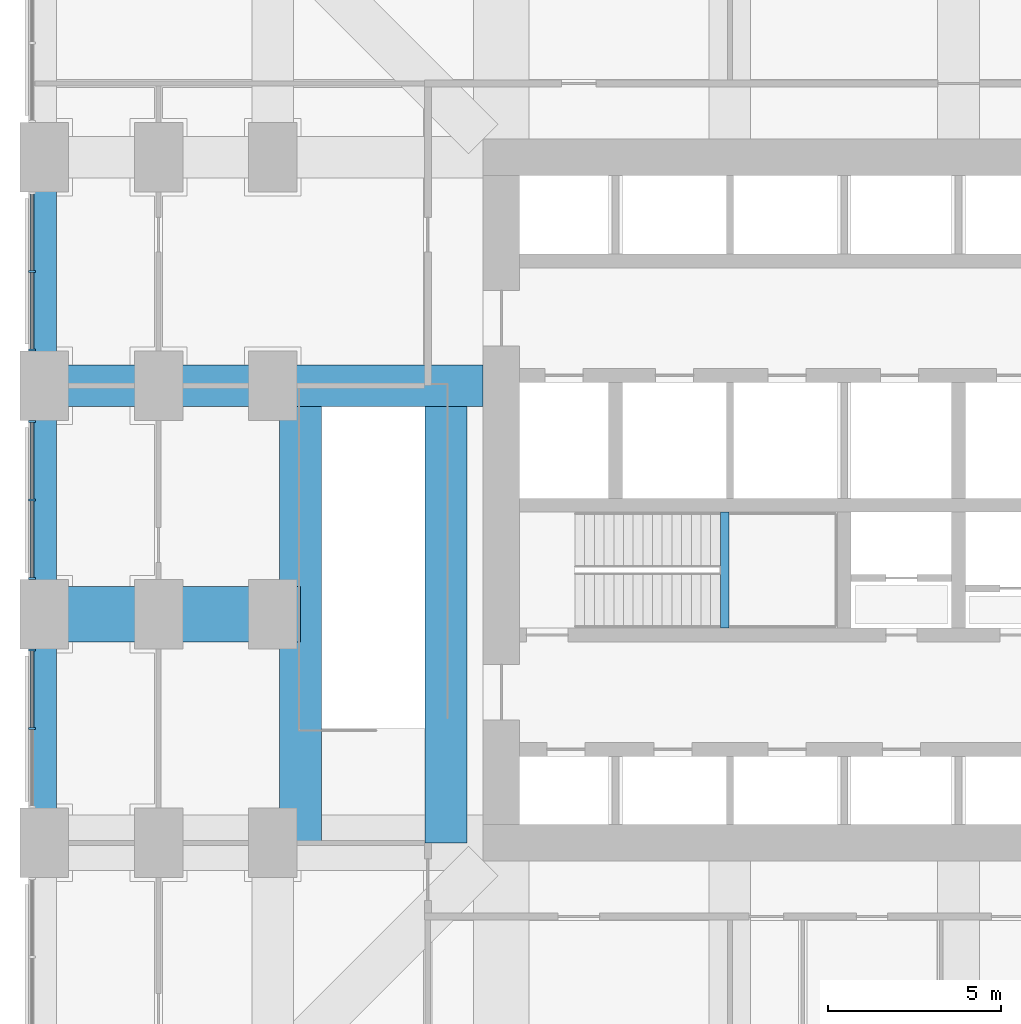
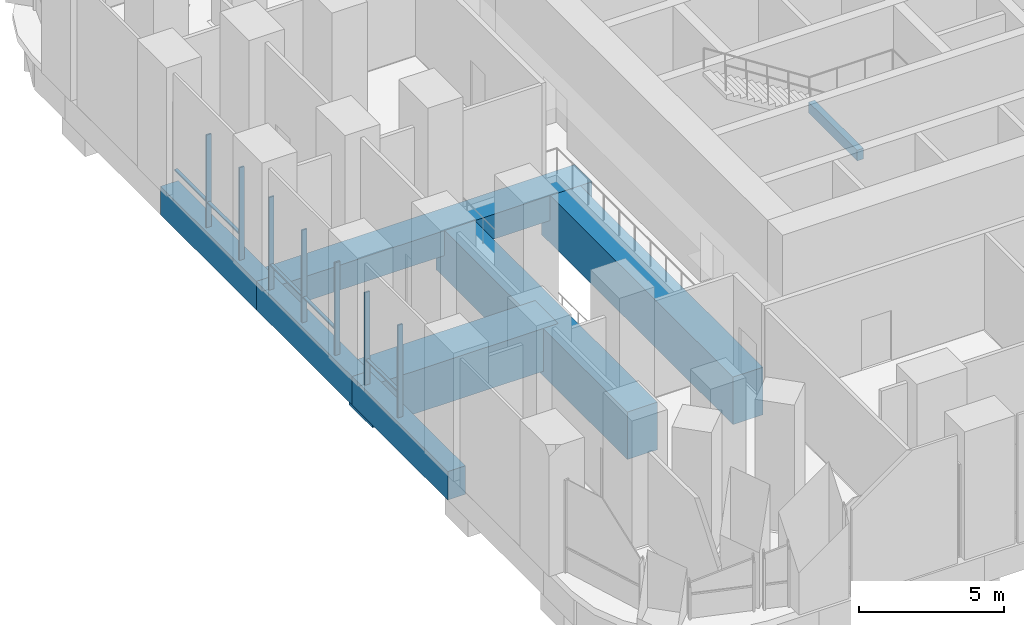
# One storey, part 3 of 17: 12 members, 8 beams, 3 elements without a shape of their own.
"""IFC4 building model written with IfcOpenShell, lengths in metres."""

import ifcopenshell
import ifcopenshell.guid

model = None  # the IFC model being written
_history = None  # IfcOwnerHistory: only IFC2X3 demands one
_inside = {}  # id of a spatial element -> (the spatial element, [elements in it])
_under = {}  # id of a project, library or spatial element -> (it, [spatial elements below it])
_declared = {}  # id of a project -> (the project, [libraries it declares])
_typed = {}  # id of a type object -> (the type object, [elements of that type])
_made_of = {}  # id of a material, layer set ... -> (it, [elements and type objects made of it])


def new_model(schema):
    """Start an empty IFC model of exactly this schema.

    Asked for "IFC4X3", IfcOpenShell would pick the latest addendum, in which some entities
    have other attributes; the version numbers below select the first issue.
    IFC2X3 requires an IfcOwnerHistory on every rooted entity: one is made here for all.
    """
    global model, _history
    if schema == "IFC4X3":
        model = ifcopenshell.file(schema_version=(4, 3, 0, 0))
    else:
        model = ifcopenshell.file(schema=schema)
    _inside.clear()
    _under.clear()
    _declared.clear()
    _typed.clear()
    _made_of.clear()
    _history = None
    if model.schema == "IFC2X3":
        org = make("IfcOrganization", Name="unknown")
        user = make(
            "IfcPersonAndOrganization",
            ThePerson=make("IfcPerson", FamilyName="unknown"),
            TheOrganization=org,
        )
        app = make(
            "IfcApplication",
            ApplicationDeveloper=org,
            Version="unknown",
            ApplicationFullName="unknown",
            ApplicationIdentifier="unknown",
        )
        _history = make(
            "IfcOwnerHistory",
            OwningUser=user,
            OwningApplication=app,
            ChangeAction="ADDED",
            CreationDate=0,
        )
    return model


def make(cls, **values):
    """One entity of the class cls with the attributes given. An attribute that is None is left unset."""
    return model.create_entity(
        cls, **{name: value for name, value in values.items() if value is not None}
    )


def rooted(cls, **values):
    """An entity with a GlobalId (a new one), such as an element, a storey or a relation."""
    return make(cls, GlobalId=ifcopenshell.guid.new(), OwnerHistory=_history, **values)


def si_unit(unit_type, name, prefix=None):
    """IfcSIUnit, for example si_unit("LENGTHUNIT", "METRE", prefix="MILLI")."""
    return make("IfcSIUnit", UnitType=unit_type, Prefix=prefix, Name=name)


def assignment(units):
    """IfcUnitAssignment: the units of a project."""
    return None if units is None else make("IfcUnitAssignment", Units=units)


def point(xyz):
    """IfcCartesianPoint."""
    return None if xyz is None else make("IfcCartesianPoint", Coordinates=xyz)


def direction(xyz):
    """IfcDirection."""
    return None if xyz is None else make("IfcDirection", DirectionRatios=xyz)


def frame(location, z_axis=None, x_axis=None):
    """IfcAxis2Placement3D, a coordinate frame: its origin and axes. An axis left out is left unset."""
    return make(
        "IfcAxis2Placement3D",
        Location=point(location),
        Axis=direction(z_axis),
        RefDirection=direction(x_axis),
    )


def frame_2d(location, x_axis=None):
    """IfcAxis2Placement2D, a coordinate frame in the plane: its origin and x axis."""
    return make(
        "IfcAxis2Placement2D", Location=point(location), RefDirection=direction(x_axis)
    )


def origin():
    """The frame at (0, 0, 0) with its axes left unset."""
    return frame((0.0, 0.0, 0.0))


def origin_2d():
    """The frame at (0, 0) in the plane with its x axis left unset."""
    return frame_2d((0.0, 0.0))


def place(relative_to, where):
    """IfcLocalPlacement: puts the frame where relative to a parent placement (None: the world)."""
    return make(
        "IfcLocalPlacement", PlacementRelTo=relative_to, RelativePlacement=where
    )


def context(
    kind, dimensions, precision=None, world=None, true_north=None, identifier=None
):
    """IfcGeometricRepresentationContext, for example the 3D "Model" context."""
    return make(
        "IfcGeometricRepresentationContext",
        ContextIdentifier=identifier,
        ContextType=kind,
        CoordinateSpaceDimension=dimensions,
        Precision=precision,
        WorldCoordinateSystem=world,
        TrueNorth=true_north,
    )


def subcontext(parent, identifier, kind, view, scale=None):
    """IfcGeometricRepresentationSubContext, for example "Body" below "Model"."""
    return make(
        "IfcGeometricRepresentationSubContext",
        ContextIdentifier=identifier,
        ContextType=kind,
        ParentContext=parent,
        TargetScale=scale,
        TargetView=view,
    )


def project(units=None, contexts=None):
    """IfcProject with its units and contexts."""
    return rooted(
        "IfcProject",
        Name="project",
        RepresentationContexts=contexts,
        UnitsInContext=assignment(units),
    )


def spatial(cls, under=None, at=None, **own):
    """A site, building, storey or space (cls), placed at a placement, below another one or the project."""
    s = rooted(cls, ObjectPlacement=at, **own)
    if under is not None:
        _under.setdefault(under.id(), (under, []))[1].append(s)
    return s


def profile(cls, at=None, kind="AREA", **sizes):
    """A parametric profile (cls). Its sizes go by their IFC names, for example OverallWidth=200.0."""
    return make(cls, ProfileType=kind, Position=at, **sizes)


def rectangle(**sizes):
    """IfcRectangleProfileDef."""
    return profile("IfcRectangleProfileDef", **sizes)


def extrude(swept, where, along, depth):
    """IfcExtrudedAreaSolid: the profile swept, set in the frame where, extruded along a direction by depth."""
    return make(
        "IfcExtrudedAreaSolid",
        SweptArea=swept,
        Position=where,
        ExtrudedDirection=direction(along),
        Depth=depth,
    )


def shape(context_of_items, identifier, shape_type, items):
    """IfcShapeRepresentation: the items that make up one representation, for example the "Body"."""
    return make(
        "IfcShapeRepresentation",
        ContextOfItems=context_of_items,
        RepresentationIdentifier=identifier,
        RepresentationType=shape_type,
        Items=items,
    )


def material(Name=None, Category=None):
    """IfcMaterial."""
    return make("IfcMaterial", Name=Name, Category=Category)


def material_profile(
    of_material, cross_section, Name=None, Category=None, Priority=None
):
    """IfcMaterialProfile: a cross section and its material."""
    return make(
        "IfcMaterialProfile",
        Name=Name,
        Material=of_material,
        Profile=cross_section,
        Priority=Priority,
        Category=Category,
    )


def profile_set(profiles, Name=None, composite=None):
    """IfcMaterialProfileSet."""
    return make(
        "IfcMaterialProfileSet",
        Name=Name,
        MaterialProfiles=profiles,
        CompositeProfile=composite,
    )


def made_of(thing, what):
    """Note that an element or type object is made of a material, layer set ...; save() writes the relation."""
    if what is not None:
        _made_of.setdefault(what.id(), (what, []))[1].append(thing)
    return thing


def type_object(cls, material=None, **own):
    """A type object (cls), such as IfcWallType, which elements share."""
    return made_of(rooted(cls, **own), material)


def element(
    cls,
    number,
    at=None,
    inside=None,
    cuts=None,
    type_object=None,
    material=None,
    context=None,
    identifier="Body",
    shape_type=None,
    held_by="IfcProductDefinitionShape",
    body=None,
    shapes=None,
    **own,
):
    """One element of the class cls, such as IfcWall. Its Tag is "e" and its number.

    at: its placement. inside: the storey or other place that contains it. cuts: it is an
    opening in that element (IfcRelVoidsElement). A single representation is given by context,
    identifier, shape_type and body (its items); several are given by shapes. held_by: the class
    of the entity that holds the representations. save() writes the other relations.
    """
    e = rooted(cls, Tag="e%d" % number, ObjectPlacement=at, **own)
    if body is not None:
        shapes = [shape(context, identifier, shape_type, body)]
    if shapes is not None:
        e.Representation = make(held_by, Representations=shapes)
    if inside is not None:
        _inside.setdefault(inside.id(), (inside, []))[1].append(e)
    if cuts is not None:
        rooted(
            "IfcRelVoidsElement", RelatingBuildingElement=cuts, RelatedOpeningElement=e
        )
    if type_object is not None:
        _typed.setdefault(type_object.id(), (type_object, []))[1].append(e)
    return made_of(e, material)


def aggregate(whole, parts):
    """IfcRelAggregates: a whole, such as a stair, and the parts it consists of."""
    return rooted("IfcRelAggregates", RelatingObject=whole, RelatedObjects=parts)


def save(model, path):
    """Write the relations noted so far, then the file.

    IfcRelAggregates (storeys below a building ...), IfcRelContainedInSpatialStructure (elements
    in a storey), IfcRelDefinesByType, IfcRelAssociatesMaterial and IfcRelDeclares: one each for
    every whole, place, type object, material and project.
    """
    for whole, parts in _under.values():
        aggregate(whole, parts)
    for where, things in _inside.values():
        rooted(
            "IfcRelContainedInSpatialStructure",
            RelatedElements=things,
            RelatingStructure=where,
        )
    for kind, things in _typed.values():
        rooted("IfcRelDefinesByType", RelatedObjects=things, RelatingType=kind)
    for what, things in _made_of.values():
        rooted("IfcRelAssociatesMaterial", RelatedObjects=things, RelatingMaterial=what)
    for by, libraries in _declared.values():
        rooted("IfcRelDeclares", RelatingContext=by, RelatedDefinitions=libraries)
    model.write(path)


model = new_model("IFC4")

# Units and contexts
model_context = context("Model", 3, precision=1e-05, world=origin(), true_north=direction((0.0, 1.0)))
body_context = subcontext(model_context, "Body", "Model", "MODEL_VIEW")
ifc_project = project(units=[si_unit("LENGTHUNIT", "METRE"), si_unit("AREAUNIT", "SQUARE_METRE"), si_unit("VOLUMEUNIT", "CUBIC_METRE"), si_unit("PLANEANGLEUNIT", "RADIAN"), si_unit("MASSUNIT", "GRAM", prefix="KILO")], contexts=[model_context])

# Site, building, storey
site_placement = place(None, origin())
site = spatial("IfcSite", under=ifc_project, at=site_placement, CompositionType="ELEMENT")
building_placement = place(site_placement, origin())
building = spatial("IfcBuilding", under=site, at=building_placement, Name="Cobogo Forest Laboratory Tower", CompositionType="ELEMENT")
storey_placement = place(building_placement, frame((0.0, 0.0, 7.199951171875)))
storey = spatial("IfcBuildingStorey", under=building, at=storey_placement, Name="L01", CompositionType="ELEMENT", Elevation=7.199951171875)

# Beams
ifc_material_1 = material(Name="Concrete HA-40 (C40/50)", Category="concrete")
ifc_material_profile_1 = material_profile(ifc_material_1, rectangle(XDim=0.25, YDim=0.449951171875, at=origin_2d()), Name="RC 250x450")
ifc_profile_set_1 = profile_set([ifc_material_profile_1], Name="Concrete HA-40 (C40/50)")
beam_type_1 = type_object("IfcBeamType", Name="LB1 landing beam 250x450", PredefinedType="BEAM", material=ifc_profile_set_1)
beam_1_placement = place(storey_placement, frame((19.64990234375, 19.39990234375, 2.275146484375), z_axis=(0.0, 1.0, 0.0), x_axis=(-1.0, 0.0, 0.0)))
element("IfcBeam", 1, at=beam_1_placement, inside=storey, type_object=beam_type_1, Name="Landing beam ST1 L01", PredefinedType="BEAM", context=body_context, shape_type="SweptSolid", body=[
    extrude(rectangle(XDim=0.25, YDim=0.449951171875, at=origin_2d()), origin(), (0.0, 0.0, 1.0), 3.35009765625),
])
ifc_material_profile_2 = material_profile(ifc_material_1, rectangle(XDim=1.199951171875, YDim=1.050048828125, at=origin_2d()), Name="RC 1200x1050")
ifc_profile_set_2 = profile_set([ifc_material_profile_2], Name="Concrete HA-40 (C40/50)")
beam_type_2 = type_object("IfcBeamType", Name="Laboratory floor wide beam 1200x1050", PredefinedType="BEAM", material=ifc_profile_set_2)
beam_2_placement = place(storey_placement, frame((12.675048828125, 26.39990234375, -0.824951171875), z_axis=(-1.0, 0.0, 0.0), x_axis=(0.0, -1.0, 0.0)))
element("IfcBeam", 2, at=beam_2_placement, inside=storey, type_object=beam_type_2, Name="RB1 R-E-W L01", PredefinedType="BEAM", context=body_context, shape_type="SweptSolid", body=[
    extrude(rectangle(XDim=1.199951171875, YDim=1.050048828125, at=origin_2d()), origin(), (0.0, 0.0, 1.0), 12.675048828125),
])

# Curtain wall, members
ifc_material_2 = material(Name="Aluminium curtain wall", Category="aluminium")
curtain_wall_type = type_object("IfcCurtainWallType", Name="CW-K stick curtain wall, podium laboratories", PredefinedType="USERDEFINED", material=ifc_material_2)
curtain_wall_1_placement = place(storey_placement, origin())
curtain_wall_1 = element("IfcCurtainWall", 3, at=curtain_wall_1_placement, inside=storey, type_object=curtain_wall_type, Name="Curtain wall 28 L01", ObjectType="STICK CURTAIN WALL", PredefinedType="USERDEFINED")
ifc_material_3 = material(Name="Aluminium mullion", Category="aluminium")
ifc_material_profile_3 = material_profile(ifc_material_3, rectangle(XDim=0.06005859375, YDim=0.199951171875, at=origin_2d()), Name="AL 60x200")
ifc_profile_set_3 = profile_set([ifc_material_profile_3], Name="Aluminium mullion")
member_type_1 = type_object("IfcMemberType", Name="MU-2 aluminium mullion 60x200", PredefinedType="MULLION", material=ifc_profile_set_3)
member_1_placement = place(storey_placement, frame((-0.35009765625, 29.699951171875, 0.0), z_axis=(0.0, 0.0, 1.0), x_axis=(0.0, -1.0, 0.0)))
member_1 = element("IfcMember", 4, at=member_1_placement, type_object=member_type_1, Name="CW-K mullion 2", PredefinedType="MULLION", context=body_context, shape_type="SweptSolid", body=[
    extrude(rectangle(XDim=0.06005859375, YDim=0.199951171875, at=origin_2d()), origin(), (0.0, 0.0, 1.0), 3.900146484375),
])
member_2_placement = place(storey_placement, frame((-0.35009765625, 27.429931640625, 0.0), z_axis=(0.0, 0.0, 1.0), x_axis=(0.0, -1.0, 0.0)))
member_2 = element("IfcMember", 5, at=member_2_placement, type_object=member_type_1, Name="CW-K mullion 3", PredefinedType="MULLION", context=body_context, shape_type="SweptSolid", body=[
    extrude(rectangle(XDim=0.06005859375, YDim=0.199951171875, at=origin_2d()), origin(), (0.0, 0.0, 1.0), 3.900146484375),
])

curtain_wall_2_placement = place(storey_placement, origin())
curtain_wall_2 = element("IfcCurtainWall", 6, at=curtain_wall_2_placement, inside=storey, type_object=curtain_wall_type, Name="Curtain wall 29 L01", ObjectType="STICK CURTAIN WALL", PredefinedType="USERDEFINED")
member_3_placement = place(storey_placement, frame((-0.35009765625, 25.3701171875, 0.0), z_axis=(0.0, 0.0, 1.0), x_axis=(0.0, -1.0, 0.0)))
member_3 = element("IfcMember", 7, at=member_3_placement, type_object=member_type_1, Name="CW-K mullion 1", PredefinedType="MULLION", context=body_context, shape_type="SweptSolid", body=[
    extrude(rectangle(XDim=0.06005859375, YDim=0.199951171875, at=origin_2d()), origin(), (0.0, 0.0, 1.0), 3.900146484375),
])
member_4_placement = place(storey_placement, frame((-0.35009765625, 23.10009765625, 0.0), z_axis=(0.0, 0.0, 1.0), x_axis=(0.0, -1.0, 0.0)))
member_4 = element("IfcMember", 8, at=member_4_placement, type_object=member_type_1, Name="CW-K mullion 2", PredefinedType="MULLION", context=body_context, shape_type="SweptSolid", body=[
    extrude(rectangle(XDim=0.06005859375, YDim=0.199951171875, at=origin_2d()), origin(), (0.0, 0.0, 1.0), 3.900146484375),
])
member_5_placement = place(storey_placement, frame((-0.35009765625, 20.830078125, 0.0), z_axis=(0.0, 0.0, 1.0), x_axis=(0.0, -1.0, 0.0)))
member_5 = element("IfcMember", 9, at=member_5_placement, type_object=member_type_1, Name="CW-K mullion 3", PredefinedType="MULLION", context=body_context, shape_type="SweptSolid", body=[
    extrude(rectangle(XDim=0.06005859375, YDim=0.199951171875, at=origin_2d()), origin(), (0.0, 0.0, 1.0), 3.900146484375),
])

curtain_wall_3_placement = place(storey_placement, origin())
curtain_wall_3 = element("IfcCurtainWall", 10, at=curtain_wall_3_placement, inside=storey, type_object=curtain_wall_type, Name="Curtain wall 30 L01", ObjectType="STICK CURTAIN WALL", PredefinedType="USERDEFINED")
member_6_placement = place(storey_placement, frame((-0.35009765625, 18.77001953125, 0.0), z_axis=(0.0, 0.0, 1.0), x_axis=(0.0, -1.0, 0.0)))
member_6 = element("IfcMember", 11, at=member_6_placement, type_object=member_type_1, Name="CW-K mullion 1", PredefinedType="MULLION", context=body_context, shape_type="SweptSolid", body=[
    extrude(rectangle(XDim=0.06005859375, YDim=0.199951171875, at=origin_2d()), origin(), (0.0, 0.0, 1.0), 3.900146484375),
])
member_7_placement = place(storey_placement, frame((-0.35009765625, 16.5, 0.0), z_axis=(0.0, 0.0, 1.0), x_axis=(0.0, -1.0, 0.0)))
member_7 = element("IfcMember", 12, at=member_7_placement, type_object=member_type_1, Name="CW-K mullion 2", PredefinedType="MULLION", context=body_context, shape_type="SweptSolid", body=[
    extrude(rectangle(XDim=0.06005859375, YDim=0.199951171875, at=origin_2d()), origin(), (0.0, 0.0, 1.0), 3.900146484375),
])

# Beams
ifc_material_profile_4 = material_profile(ifc_material_1, rectangle(XDim=0.699951171875, YDim=1.199951171875, at=origin_2d()), Name="RC 700x1200")
ifc_profile_set_4 = profile_set([ifc_material_profile_4], Name="Concrete HA-40 (C40/50)")
beam_type_3 = type_object("IfcBeamType", Name="Perimeter edge beam 700x1200", PredefinedType="BEAM", material=ifc_profile_set_4)
beam_3_placement = place(storey_placement, frame((0.0, 13.199951171875, -0.89990234375), z_axis=(0.0, 1.0, 0.0), x_axis=(-1.0, 0.0, 0.0)))
element("IfcBeam", 13, at=beam_3_placement, inside=storey, type_object=beam_type_3, Name="EB1 E-W2 L01", PredefinedType="BEAM", context=body_context, shape_type="SweptSolid", body=[
    extrude(rectangle(XDim=0.699951171875, YDim=1.199951171875, at=origin_2d()), origin(), (0.0, 0.0, 1.0), 6.60009765625),
])
beam_4_placement = place(storey_placement, frame((0.0, 19.800048828125, -0.89990234375), z_axis=(0.0, 1.0, 0.0), x_axis=(-1.0, 0.0, 0.0)))
element("IfcBeam", 14, at=beam_4_placement, inside=storey, type_object=beam_type_3, Name="EB1 E-W3 L01", PredefinedType="BEAM", context=body_context, shape_type="SweptSolid", body=[
    extrude(rectangle(XDim=0.699951171875, YDim=1.199951171875, at=origin_2d()), origin(), (0.0, 0.0, 1.0), 6.599853515625),
])
beam_5_placement = place(storey_placement, frame((0.0, 26.39990234375, -0.89990234375), z_axis=(0.0, 1.0, 0.0), x_axis=(-1.0, 0.0, 0.0)))
element("IfcBeam", 15, at=beam_5_placement, inside=storey, type_object=beam_type_3, Name="EB1 E-W4 L01", PredefinedType="BEAM", context=body_context, shape_type="SweptSolid", body=[
    extrude(rectangle(XDim=0.699951171875, YDim=1.199951171875, at=origin_2d()), origin(), (0.0, 0.0, 1.0), 6.60009765625),
])
ifc_material_4 = material(Name="Concrete HA-50 (C50/60)", Category="concrete")
ifc_material_profile_5 = material_profile(ifc_material_4, rectangle(XDim=1.60009765625, YDim=1.800048828125, at=origin_2d()), Name="RC 1600x1800")
ifc_profile_set_5 = profile_set([ifc_material_profile_5], Name="Concrete HA-50 (C50/60)")
beam_type_4 = type_object("IfcBeamType", Name="Podium transfer girder 1600x1800", PredefinedType="BEAM", material=ifc_profile_set_5)
beam_6_placement = place(storey_placement, frame((0.0, 19.800048828125, -1.199951171875), z_axis=(1.0, 0.0, 0.0), x_axis=(0.0, 1.0, 0.0)))
element("IfcBeam", 16, at=beam_6_placement, inside=storey, type_object=beam_type_4, Name="TG5 R-D-W-1 L01", PredefinedType="BEAM", context=body_context, shape_type="SweptSolid", body=[
    extrude(rectangle(XDim=1.60009765625, YDim=1.800048828125, at=origin_2d()), origin(), (0.0, 0.0, 1.0), 7.39990234375),
])
ifc_material_profile_6 = material_profile(ifc_material_1, rectangle(XDim=1.199951171875, YDim=2.0, at=origin_2d()), Name="RC 1200x2000")
ifc_profile_set_6 = profile_set([ifc_material_profile_6], Name="Concrete HA-40 (C40/50)")
beam_type_5 = type_object("IfcBeamType", Name="Setback floor girder 1200x2000", PredefinedType="BEAM", material=ifc_profile_set_6)
for number, where, z_axis, x_axis, name in (
    (17, (7.39990234375, 13.199951171875, -1.300048828125), (0.0, 1.0, 0.0), (-1.0, 0.0, 0.0), "TG2 V-FS1-1 L01"),
    (18, (11.60009765625, 13.199951171875, -1.300048828125), (0.0, 1.0, 0.0), (-1.0, 0.0, 0.0), "TG2 V-FS1-2 L01"),
):
    element("IfcBeam", number, at=place(storey_placement, frame(where, z_axis=z_axis, x_axis=x_axis)), inside=storey, type_object=beam_type_5, Name=name, PredefinedType="BEAM", context=body_context, shape_type="SweptSolid", body=[
        extrude(rectangle(XDim=1.199951171875, YDim=2.0, at=origin_2d()), origin(), (0.0, 0.0, 1.0), 13.199951171875),
    ])

# Member
ifc_material_5 = material(Name="Aluminium transom", Category="aluminium")
ifc_material_profile_7 = material_profile(ifc_material_5, rectangle(XDim=0.1201171875, YDim=0.06005859375, at=origin_2d()), Name="AL 60x120")
ifc_profile_set_7 = profile_set([ifc_material_profile_7], Name="Aluminium transom")
member_type_2 = type_object("IfcMemberType", Name="TR-1 aluminium transom 60x120", PredefinedType="USERDEFINED", material=ifc_profile_set_7)
member_8_placement = place(storey_placement, frame((-0.35009765625, 31.93994140625, 1.050048828125), z_axis=(0.0, -1.0, 0.0), x_axis=(1.0, 0.0, 0.0)))
member_8 = element("IfcMember", 19, at=member_8_placement, type_object=member_type_2, Name="CW-K transom 1.1", ObjectType="TRANSOM", PredefinedType="USERDEFINED", context=body_context, shape_type="SweptSolid", body=[
    extrude(rectangle(XDim=0.1201171875, YDim=0.06005859375, at=origin_2d()), origin(), (0.0, 0.0, 1.0), 2.2099609375),
])

member_9_placement = place(storey_placement, frame((-0.35009765625, 29.669921875, 1.050048828125), z_axis=(0.0, -1.0, 0.0), x_axis=(1.0, 0.0, 0.0)))
member_9 = element("IfcMember", 20, at=member_9_placement, type_object=member_type_2, Name="CW-K transom 2.1", ObjectType="TRANSOM", PredefinedType="USERDEFINED", context=body_context, shape_type="SweptSolid", body=[
    extrude(rectangle(XDim=0.1201171875, YDim=0.06005859375, at=origin_2d()), origin(), (0.0, 0.0, 1.0), 2.2099609375),
])

aggregate(curtain_wall_1, [member_1, member_2, member_8, member_9])

member_10_placement = place(storey_placement, frame((-0.35009765625, 25.340087890625, 1.050048828125), z_axis=(0.0, -1.0, 0.0), x_axis=(1.0, 0.0, 0.0)))
member_10 = element("IfcMember", 21, at=member_10_placement, type_object=member_type_2, Name="CW-K transom 1.1", ObjectType="TRANSOM", PredefinedType="USERDEFINED", context=body_context, shape_type="SweptSolid", body=[
    extrude(rectangle(XDim=0.1201171875, YDim=0.06005859375, at=origin_2d()), origin(), (0.0, 0.0, 1.0), 2.210205078125),
])

member_11_placement = place(storey_placement, frame((-0.35009765625, 23.070068359375, 1.050048828125), z_axis=(0.0, -1.0, 0.0), x_axis=(1.0, 0.0, 0.0)))
member_11 = element("IfcMember", 22, at=member_11_placement, type_object=member_type_2, Name="CW-K transom 2.1", ObjectType="TRANSOM", PredefinedType="USERDEFINED", context=body_context, shape_type="SweptSolid", body=[
    extrude(rectangle(XDim=0.1201171875, YDim=0.06005859375, at=origin_2d()), origin(), (0.0, 0.0, 1.0), 2.2099609375),
])

aggregate(curtain_wall_2, [member_3, member_4, member_5, member_10, member_11])

member_12_placement = place(storey_placement, frame((-0.35009765625, 18.739990234375, 1.050048828125), z_axis=(0.0, -1.0, 0.0), x_axis=(1.0, 0.0, 0.0)))
member_12 = element("IfcMember", 23, at=member_12_placement, type_object=member_type_2, Name="CW-K transom 1.1", ObjectType="TRANSOM", PredefinedType="USERDEFINED", context=body_context, shape_type="SweptSolid", body=[
    extrude(rectangle(XDim=0.1201171875, YDim=0.06005859375, at=origin_2d()), origin(), (0.0, 0.0, 1.0), 2.2099609375),
])

aggregate(curtain_wall_3, [member_6, member_7, member_12])

save(model, "model.ifc")
